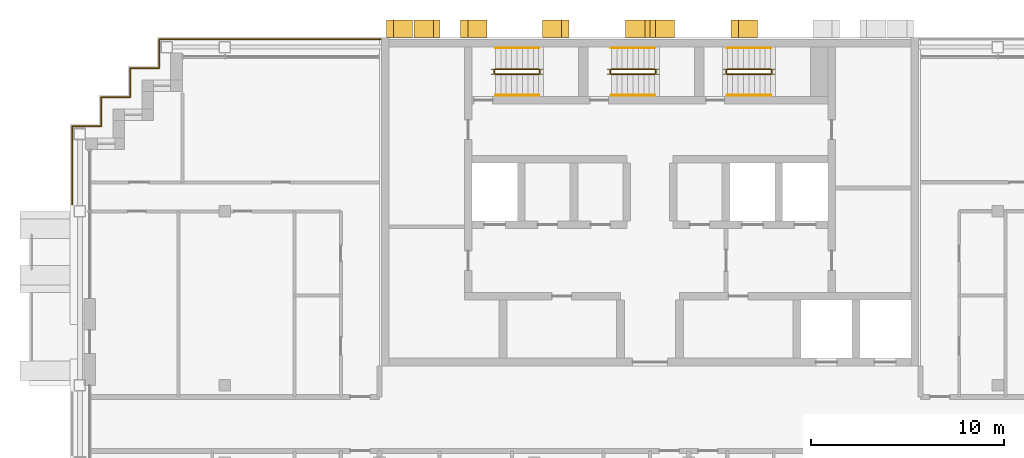
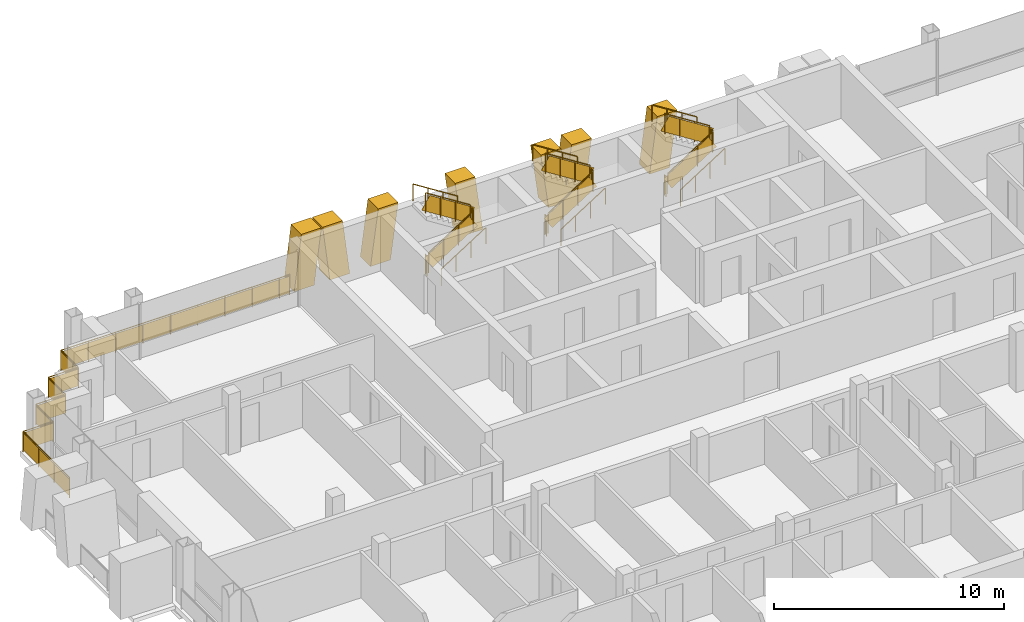
# One storey, part 14 of 15: 21 railings, 6 shading devices.
"""IFC4 building model written with IfcOpenShell, lengths in metres."""

import ifcopenshell
import ifcopenshell.guid

model = None  # the IFC model being written
_history = None  # IfcOwnerHistory: only IFC2X3 demands one
_inside = {}  # id of a spatial element -> (the spatial element, [elements in it])
_under = {}  # id of a project, library or spatial element -> (it, [spatial elements below it])
_declared = {}  # id of a project -> (the project, [libraries it declares])
_typed = {}  # id of a type object -> (the type object, [elements of that type])
_made_of = {}  # id of a material, layer set ... -> (it, [elements and type objects made of it])


def new_model(schema):
    """Start an empty IFC model of exactly this schema.

    Asked for "IFC4X3", IfcOpenShell would pick the latest addendum, in which some entities
    have other attributes; the version numbers below select the first issue.
    IFC2X3 requires an IfcOwnerHistory on every rooted entity: one is made here for all.
    """
    global model, _history
    if schema == "IFC4X3":
        model = ifcopenshell.file(schema_version=(4, 3, 0, 0))
    else:
        model = ifcopenshell.file(schema=schema)
    _inside.clear()
    _under.clear()
    _declared.clear()
    _typed.clear()
    _made_of.clear()
    _history = None
    if model.schema == "IFC2X3":
        org = make("IfcOrganization", Name="unknown")
        user = make(
            "IfcPersonAndOrganization",
            ThePerson=make("IfcPerson", FamilyName="unknown"),
            TheOrganization=org,
        )
        app = make(
            "IfcApplication",
            ApplicationDeveloper=org,
            Version="unknown",
            ApplicationFullName="unknown",
            ApplicationIdentifier="unknown",
        )
        _history = make(
            "IfcOwnerHistory",
            OwningUser=user,
            OwningApplication=app,
            ChangeAction="ADDED",
            CreationDate=0,
        )
    return model


def make(cls, **values):
    """One entity of the class cls with the attributes given. An attribute that is None is left unset."""
    return model.create_entity(
        cls, **{name: value for name, value in values.items() if value is not None}
    )


def rooted(cls, **values):
    """An entity with a GlobalId (a new one), such as an element, a storey or a relation."""
    return make(cls, GlobalId=ifcopenshell.guid.new(), OwnerHistory=_history, **values)


def si_unit(unit_type, name, prefix=None):
    """IfcSIUnit, for example si_unit("LENGTHUNIT", "METRE", prefix="MILLI")."""
    return make("IfcSIUnit", UnitType=unit_type, Prefix=prefix, Name=name)


def assignment(units):
    """IfcUnitAssignment: the units of a project."""
    return None if units is None else make("IfcUnitAssignment", Units=units)


def point(xyz):
    """IfcCartesianPoint."""
    return None if xyz is None else make("IfcCartesianPoint", Coordinates=xyz)


def direction(xyz):
    """IfcDirection."""
    return None if xyz is None else make("IfcDirection", DirectionRatios=xyz)


def frame(location, z_axis=None, x_axis=None):
    """IfcAxis2Placement3D, a coordinate frame: its origin and axes. An axis left out is left unset."""
    return make(
        "IfcAxis2Placement3D",
        Location=point(location),
        Axis=direction(z_axis),
        RefDirection=direction(x_axis),
    )


def frame_2d(location, x_axis=None):
    """IfcAxis2Placement2D, a coordinate frame in the plane: its origin and x axis."""
    return make(
        "IfcAxis2Placement2D", Location=point(location), RefDirection=direction(x_axis)
    )


def origin():
    """The frame at (0, 0, 0) with its axes left unset."""
    return frame((0.0, 0.0, 0.0))


def origin_2d():
    """The frame at (0, 0) in the plane with its x axis left unset."""
    return frame_2d((0.0, 0.0))


def place(relative_to, where):
    """IfcLocalPlacement: puts the frame where relative to a parent placement (None: the world)."""
    return make(
        "IfcLocalPlacement", PlacementRelTo=relative_to, RelativePlacement=where
    )


def context(
    kind, dimensions, precision=None, world=None, true_north=None, identifier=None
):
    """IfcGeometricRepresentationContext, for example the 3D "Model" context."""
    return make(
        "IfcGeometricRepresentationContext",
        ContextIdentifier=identifier,
        ContextType=kind,
        CoordinateSpaceDimension=dimensions,
        Precision=precision,
        WorldCoordinateSystem=world,
        TrueNorth=true_north,
    )


def subcontext(parent, identifier, kind, view, scale=None):
    """IfcGeometricRepresentationSubContext, for example "Body" below "Model"."""
    return make(
        "IfcGeometricRepresentationSubContext",
        ContextIdentifier=identifier,
        ContextType=kind,
        ParentContext=parent,
        TargetScale=scale,
        TargetView=view,
    )


def project(units=None, contexts=None):
    """IfcProject with its units and contexts."""
    return rooted(
        "IfcProject",
        Name="project",
        RepresentationContexts=contexts,
        UnitsInContext=assignment(units),
    )


def spatial(cls, under=None, at=None, **own):
    """A site, building, storey or space (cls), placed at a placement, below another one or the project."""
    s = rooted(cls, ObjectPlacement=at, **own)
    if under is not None:
        _under.setdefault(under.id(), (under, []))[1].append(s)
    return s


def polyline(points):
    """IfcPolyline through the points."""
    return make("IfcPolyline", Points=[point(p) for p in points])


def profile(cls, at=None, kind="AREA", **sizes):
    """A parametric profile (cls). Its sizes go by their IFC names, for example OverallWidth=200.0."""
    return make(cls, ProfileType=kind, Position=at, **sizes)


def rectangle(**sizes):
    """IfcRectangleProfileDef."""
    return profile("IfcRectangleProfileDef", **sizes)


def circle(**sizes):
    """IfcCircleProfileDef."""
    return profile("IfcCircleProfileDef", **sizes)


def outline(outer, holes=None, kind="AREA"):
    """IfcArbitraryClosedProfileDef: a profile drawn as a closed curve; with holes, ...WithVoids."""
    if holes is None:
        return make("IfcArbitraryClosedProfileDef", ProfileType=kind, OuterCurve=outer)
    return make(
        "IfcArbitraryProfileDefWithVoids",
        ProfileType=kind,
        OuterCurve=outer,
        InnerCurves=holes,
    )


def extrude(swept, where, along, depth):
    """IfcExtrudedAreaSolid: the profile swept, set in the frame where, extruded along a direction by depth."""
    return make(
        "IfcExtrudedAreaSolid",
        SweptArea=swept,
        Position=where,
        ExtrudedDirection=direction(along),
        Depth=depth,
    )


def shape(context_of_items, identifier, shape_type, items):
    """IfcShapeRepresentation: the items that make up one representation, for example the "Body"."""
    return make(
        "IfcShapeRepresentation",
        ContextOfItems=context_of_items,
        RepresentationIdentifier=identifier,
        RepresentationType=shape_type,
        Items=items,
    )


def material(Name=None, Category=None):
    """IfcMaterial."""
    return make("IfcMaterial", Name=Name, Category=Category)


def layer(
    of_material, thickness, ventilated=None, Name=None, Category=None, Priority=None
):
    """IfcMaterialLayer: one layer of a wall or slab, of a material (None: an air gap)."""
    return make(
        "IfcMaterialLayer",
        Material=of_material,
        LayerThickness=thickness,
        IsVentilated=ventilated,
        Name=Name,
        Category=Category,
        Priority=Priority,
    )


def layer_set(layers, Name=None):
    """IfcMaterialLayerSet."""
    return make("IfcMaterialLayerSet", MaterialLayers=layers, LayerSetName=Name)


def made_of(thing, what):
    """Note that an element or type object is made of a material, layer set ...; save() writes the relation."""
    if what is not None:
        _made_of.setdefault(what.id(), (what, []))[1].append(thing)
    return thing


def type_object(cls, material=None, **own):
    """A type object (cls), such as IfcWallType, which elements share."""
    return made_of(rooted(cls, **own), material)


def element(
    cls,
    number,
    at=None,
    inside=None,
    cuts=None,
    type_object=None,
    material=None,
    context=None,
    identifier="Body",
    shape_type=None,
    held_by="IfcProductDefinitionShape",
    body=None,
    shapes=None,
    **own,
):
    """One element of the class cls, such as IfcWall. Its Tag is "e" and its number.

    at: its placement. inside: the storey or other place that contains it. cuts: it is an
    opening in that element (IfcRelVoidsElement). A single representation is given by context,
    identifier, shape_type and body (its items); several are given by shapes. held_by: the class
    of the entity that holds the representations. save() writes the other relations.
    """
    e = rooted(cls, Tag="e%d" % number, ObjectPlacement=at, **own)
    if body is not None:
        shapes = [shape(context, identifier, shape_type, body)]
    if shapes is not None:
        e.Representation = make(held_by, Representations=shapes)
    if inside is not None:
        _inside.setdefault(inside.id(), (inside, []))[1].append(e)
    if cuts is not None:
        rooted(
            "IfcRelVoidsElement", RelatingBuildingElement=cuts, RelatedOpeningElement=e
        )
    if type_object is not None:
        _typed.setdefault(type_object.id(), (type_object, []))[1].append(e)
    return made_of(e, material)


def aggregate(whole, parts):
    """IfcRelAggregates: a whole, such as a stair, and the parts it consists of."""
    return rooted("IfcRelAggregates", RelatingObject=whole, RelatedObjects=parts)


def save(model, path):
    """Write the relations noted so far, then the file.

    IfcRelAggregates (storeys below a building ...), IfcRelContainedInSpatialStructure (elements
    in a storey), IfcRelDefinesByType, IfcRelAssociatesMaterial and IfcRelDeclares: one each for
    every whole, place, type object, material and project.
    """
    for whole, parts in _under.values():
        aggregate(whole, parts)
    for where, things in _inside.values():
        rooted(
            "IfcRelContainedInSpatialStructure",
            RelatedElements=things,
            RelatingStructure=where,
        )
    for kind, things in _typed.values():
        rooted("IfcRelDefinesByType", RelatedObjects=things, RelatingType=kind)
    for what, things in _made_of.values():
        rooted("IfcRelAssociatesMaterial", RelatedObjects=things, RelatingMaterial=what)
    for by, libraries in _declared.values():
        rooted("IfcRelDeclares", RelatingContext=by, RelatedDefinitions=libraries)
    model.write(path)


model = new_model("IFC4")

# Units and contexts
model_context = context("Model", 3, precision=1e-05, world=origin(), true_north=direction((0.0, 1.0)))
body_context = subcontext(model_context, "Body", "Model", "MODEL_VIEW")
ifc_project = project(units=[si_unit("LENGTHUNIT", "METRE"), si_unit("AREAUNIT", "SQUARE_METRE"), si_unit("VOLUMEUNIT", "CUBIC_METRE"), si_unit("PLANEANGLEUNIT", "RADIAN"), si_unit("MASSUNIT", "GRAM", prefix="KILO")], contexts=[model_context])

# Site, building, storey
site_placement = place(None, origin())
site = spatial("IfcSite", under=ifc_project, at=site_placement, CompositionType="ELEMENT")
building_placement = place(site_placement, origin())
building = spatial("IfcBuilding", under=site, at=building_placement, Name="Vidyagriha Tower", CompositionType="ELEMENT")
storey_placement = place(building_placement, frame((0.0, 0.0, 233.199951171875)))
storey = spatial("IfcBuildingStorey", under=building, at=storey_placement, Name="L61", CompositionType="ELEMENT", Elevation=233.199951171875)

# Shading devices
ifc_material_1 = material(Name="Precast concrete C40/50 with brick facing", Category="concrete")
ifc_layer_1 = layer(ifc_material_1, 1.0)
ifc_layer_set_1 = layer_set([ifc_layer_1], Name="Precast concrete C40/50 with brick facing")
shading_device_type_1 = type_object("IfcShadingDeviceType", Name="Brick-faced rear rib arm leaning 8 degrees", PredefinedType="USERDEFINED", material=ifc_layer_set_1)
for number, where, z_axis, x_axis, name in (
    (1, (5.5712890625, 20.449951171875, 0.0), (0.0, 0.0, 1.0), (-1.0, 0.0, 0.0), "Rear rib arm L61 R08.2a"),
    (2, (-8.4287109375, 20.449951171875, 0.0), (0.0, 0.0, 1.0), (-1.0, 0.0, 0.0), "Rear rib arm L61 R08.4a"),
):
    element("IfcShadingDevice", number, at=place(storey_placement, frame(where, z_axis=z_axis, x_axis=x_axis)), inside=storey, type_object=shading_device_type_1, Name=name, ObjectType="BLADE FIN", PredefinedType="USERDEFINED", context=body_context, shape_type="SweptSolid", body=[
        extrude(outline(polyline([(0.3857421875, 0.0), (1.3857421875, 0.0), (1.0, 2.920166015625), (0.0, 2.920166015625), (0.3857421875, 0.0)])), frame((0.0, 0.449951171875, 0.0), z_axis=(0.0, -1.0, 0.0), x_axis=(1.0, 0.0, 0.0)), (0.0, 0.0, 1.0), 0.89990234375),
    ])
shading_device_1_placement = place(storey_placement, frame((-4.185791015625, 20.449951171875, 0.0), z_axis=(0.0, 0.0, 1.0), x_axis=(-1.0, 0.0, 0.0)))
element("IfcShadingDevice", 3, at=shading_device_1_placement, inside=storey, type_object=shading_device_type_1, Name="Rear rib arm L61 R08.4b", ObjectType="BLADE FIN", PredefinedType="USERDEFINED", context=body_context, shape_type="SweptSolid", body=[
    extrude(outline(polyline([(0.0, 0.0), (1.0, 0.0), (1.3857421875, 2.920166015625), (0.3857421875, 2.920166015625), (0.0, 0.0)])), frame((0.0, 0.449951171875, 0.0), z_axis=(0.0, -1.0, 0.0), x_axis=(1.0, 0.0, 0.0)), (0.0, 0.0, 1.0), 0.89990234375),
])
shading_device_2_placement = place(storey_placement, frame((-12.28564453125, 20.449951171875, 0.0), z_axis=(0.0, 0.0, 1.0), x_axis=(-1.0, 0.0, 0.0)))
element("IfcShadingDevice", 4, at=shading_device_2_placement, inside=storey, type_object=shading_device_type_1, Name="Rear rib arm L61 R08.5a", ObjectType="BLADE FIN", PredefinedType="USERDEFINED", context=body_context, shape_type="SweptSolid", body=[
    extrude(outline(polyline([(0.357177734375, 0.0), (1.357177734375, 0.0), (1.0, 2.920166015625), (0.0, 2.920166015625), (0.357177734375, 0.0)])), frame((0.0, 0.449951171875, 0.0), z_axis=(0.0, -1.0, 0.0), x_axis=(1.0, 0.0, 0.0)), (0.0, 0.0, 1.0), 0.89990234375),
])
shading_device_3_placement = place(storey_placement, frame((-10.857177734375, 20.449951171875, 0.0), z_axis=(0.0, 0.0, 1.0), x_axis=(-1.0, 0.0, 0.0)))
element("IfcShadingDevice", 5, at=shading_device_3_placement, inside=storey, type_object=shading_device_type_1, Name="Rear rib arm L61 R08.5b", ObjectType="BLADE FIN", PredefinedType="USERDEFINED", context=body_context, shape_type="SweptSolid", body=[
    extrude(outline(polyline([(0.0, 0.0), (1.0, 0.0), (1.357177734375, 2.920166015625), (0.357177734375, 2.920166015625), (0.0, 0.0)])), frame((0.0, 0.449951171875, 0.0), z_axis=(0.0, -1.0, 0.0), x_axis=(1.0, 0.0, 0.0)), (0.0, 0.0, 1.0), 0.89990234375),
])
ifc_material_2 = material(Name="Precast concrete C40/50 with brick facing", Category="concrete")
ifc_layer_2 = layer(ifc_material_2, 1.0)
ifc_layer_set_2 = layer_set([ifc_layer_2], Name="Precast concrete C40/50 with brick facing")
shading_device_type_2 = type_object("IfcShadingDeviceType", Name="Brick-faced rear rib forking 8 degrees", PredefinedType="USERDEFINED", material=ifc_layer_set_2)
shading_device_4_placement = place(storey_placement, frame((1.271484375, 20.449951171875, 0.0), z_axis=(0.0, 0.0, 1.0), x_axis=(-1.0, 0.0, 0.0)))
element("IfcShadingDevice", 6, at=shading_device_4_placement, inside=storey, type_object=shading_device_type_2, Name="Rear rib fork L61 R08.3a", ObjectType="BLADE FIN", PredefinedType="USERDEFINED", context=body_context, shape_type="SweptSolid", body=[
    extrude(outline(polyline([(0.3857421875, 0.0), (2.156982421875, 0.0), (2.542724609375, 2.920166015625), (1.542724609375, 2.920166015625), (1.271484375, 0.865234375), (1.0, 2.920166015625), (0.0, 2.920166015625), (0.3857421875, 0.0)])), frame((0.0, 0.449951171875, 0.0), z_axis=(0.0, -1.0, 0.0), x_axis=(1.0, 0.0, 0.0)), (0.0, 0.0, 1.0), 0.89990234375),
])

# Railings
ifc_material_3 = material(Name="Steel ASTM A500 Grade C black painted", Category="steel")
railing_type_1 = type_object("IfcRailingType", Name="Gallery guard 1100", PredefinedType="GUARDRAIL", material=ifc_material_3)
railing_1_placement = place(storey_placement, frame((-29.89990234375, 11.360107421875, 0.0)))
element("IfcRailing", 7, at=railing_1_placement, inside=storey, type_object=railing_type_1, Name="Gallery guard L61 4", PredefinedType="GUARDRAIL", context=body_context, shape_type="SweptSolid", body=[
    extrude(circle(Radius=0.02490234375, at=origin_2d()), frame((0.0, 0.0, 1.0751953125), z_axis=(0.0, 1.0, 0.0), x_axis=(-1.0, 0.0, 0.0)), (0.0, 0.0, 1.0), 4.039794921875),
    extrude(circle(Radius=0.02490234375, at=origin_2d()), frame((0.0, 4.039794921875, 1.0751953125), z_axis=(1.0, 0.0, 0.0), x_axis=(0.0, 1.0, 0.0)), (0.0, 0.0, 1.0), 1.5),
    extrude(circle(Radius=0.02490234375, at=origin_2d()), frame((1.5, 4.039794921875, 1.0751953125), z_axis=(0.0, 1.0, 0.0), x_axis=(-1.0, 0.0, 0.0)), (0.0, 0.0, 1.0), 1.5),
    extrude(circle(Radius=0.02490234375, at=origin_2d()), frame((1.5, 5.539794921875, 1.0751953125), z_axis=(1.0, 0.0, 0.0), x_axis=(0.0, 1.0, 0.0)), (0.0, 0.0, 1.0), 1.5),
    extrude(circle(Radius=0.02490234375, at=origin_2d()), frame((3.0, 5.539794921875, 1.0751953125), z_axis=(0.0, 1.0, 0.0), x_axis=(-1.0, 0.0, 0.0)), (0.0, 0.0, 1.0), 1.5),
    extrude(circle(Radius=0.02490234375, at=origin_2d()), frame((3.0, 7.039794921875, 1.0751953125), z_axis=(1.0, 0.0, 0.0), x_axis=(0.0, 1.0, 0.0)), (0.0, 0.0, 1.0), 1.5),
    extrude(circle(Radius=0.02490234375, at=origin_2d()), frame((4.5, 7.039794921875, 1.0751953125), z_axis=(0.0, 1.0, 0.0), x_axis=(-1.0, 0.0, 0.0)), (0.0, 0.0, 1.0), 0.460205078125),
    extrude(circle(Radius=0.02001953125, at=origin_2d()), origin(), (0.0, 0.0, 1.0), 1.050048828125),
    extrude(circle(Radius=0.02001953125, at=origin_2d()), frame((0.0, 1.3466796875, 0.0)), (0.0, 0.0, 1.0), 1.050048828125),
    extrude(circle(Radius=0.02001953125, at=origin_2d()), frame((0.0, 2.693115234375, 0.0)), (0.0, 0.0, 1.0), 1.050048828125),
    extrude(circle(Radius=0.02001953125, at=origin_2d()), frame((0.0, 4.039794921875, 0.0)), (0.0, 0.0, 1.0), 1.050048828125),
    extrude(circle(Radius=0.02001953125, at=origin_2d()), frame((1.5, 4.039794921875, 0.0)), (0.0, 0.0, 1.0), 1.050048828125),
    extrude(circle(Radius=0.02001953125, at=origin_2d()), frame((1.5, 5.539794921875, 0.0)), (0.0, 0.0, 1.0), 1.050048828125),
    extrude(circle(Radius=0.02001953125, at=origin_2d()), frame((3.0, 5.539794921875, 0.0)), (0.0, 0.0, 1.0), 1.050048828125),
    extrude(circle(Radius=0.02001953125, at=origin_2d()), frame((3.0, 7.039794921875, 0.0)), (0.0, 0.0, 1.0), 1.050048828125),
    extrude(circle(Radius=0.02001953125, at=origin_2d()), frame((4.5, 7.039794921875, 0.0)), (0.0, 0.0, 1.0), 1.050048828125),
    extrude(circle(Radius=0.02001953125, at=origin_2d()), frame((4.5, 7.5, 0.0)), (0.0, 0.0, 1.0), 1.050048828125),
    extrude(rectangle(XDim=0.010009765625, YDim=0.900146484375, at=origin_2d()), frame((0.0, 0.0, 0.550048828125), z_axis=(0.0, 1.0, 0.0), x_axis=(-1.0, 0.0, 0.0)), (0.0, 0.0, 1.0), 4.039794921875),
    extrude(rectangle(XDim=0.010009765625, YDim=0.900146484375, at=origin_2d()), frame((0.0, 4.039794921875, 0.550048828125), z_axis=(1.0, 0.0, 0.0), x_axis=(0.0, 1.0, 0.0)), (0.0, 0.0, 1.0), 1.5),
    extrude(rectangle(XDim=0.010009765625, YDim=0.900146484375, at=origin_2d()), frame((1.5, 4.039794921875, 0.550048828125), z_axis=(0.0, 1.0, 0.0), x_axis=(-1.0, 0.0, 0.0)), (0.0, 0.0, 1.0), 1.5),
    extrude(rectangle(XDim=0.010009765625, YDim=0.900146484375, at=origin_2d()), frame((1.5, 5.539794921875, 0.550048828125), z_axis=(1.0, 0.0, 0.0), x_axis=(0.0, 1.0, 0.0)), (0.0, 0.0, 1.0), 1.5),
    extrude(rectangle(XDim=0.010009765625, YDim=0.900146484375, at=origin_2d()), frame((3.0, 5.539794921875, 0.550048828125), z_axis=(0.0, 1.0, 0.0), x_axis=(-1.0, 0.0, 0.0)), (0.0, 0.0, 1.0), 1.5),
    extrude(rectangle(XDim=0.010009765625, YDim=0.900146484375, at=origin_2d()), frame((3.0, 7.039794921875, 0.550048828125), z_axis=(1.0, 0.0, 0.0), x_axis=(0.0, 1.0, 0.0)), (0.0, 0.0, 1.0), 1.5),
    extrude(rectangle(XDim=0.010009765625, YDim=0.900146484375, at=origin_2d()), frame((4.5, 7.039794921875, 0.550048828125), z_axis=(0.0, 1.0, 0.0), x_axis=(-1.0, 0.0, 0.0)), (0.0, 0.0, 1.0), 0.460205078125),
])
railing_2_placement = place(storey_placement, frame((-25.39990234375, 18.860107421875, 0.0)))
element("IfcRailing", 8, at=railing_2_placement, inside=storey, type_object=railing_type_1, Name="Gallery guard L61 5", PredefinedType="GUARDRAIL", context=body_context, shape_type="SweptSolid", body=[
    extrude(circle(Radius=0.02490234375, at=origin_2d()), frame((0.0, 0.0, 1.0751953125), z_axis=(0.0, 1.0, 0.0), x_axis=(-1.0, 0.0, 0.0)), (0.0, 0.0, 1.0), 1.039794921875),
    extrude(circle(Radius=0.02490234375, at=origin_2d()), frame((0.0, 1.039794921875, 1.0751953125), z_axis=(1.0, 0.0, 0.0), x_axis=(0.0, 1.0, 0.0)), (0.0, 0.0, 1.0), 10.9599609375),
    extrude(circle(Radius=0.02001953125, at=origin_2d()), origin(), (0.0, 0.0, 1.0), 1.050048828125),
    extrude(circle(Radius=0.02001953125, at=origin_2d()), frame((0.0, 1.039794921875, 0.0)), (0.0, 0.0, 1.0), 1.050048828125),
    extrude(circle(Radius=0.02001953125, at=origin_2d()), frame((1.3701171875, 1.039794921875, 0.0)), (0.0, 0.0, 1.0), 1.050048828125),
    extrude(circle(Radius=0.02001953125, at=origin_2d()), frame((2.739990234375, 1.039794921875, 0.0)), (0.0, 0.0, 1.0), 1.050048828125),
    extrude(circle(Radius=0.02001953125, at=origin_2d()), frame((4.10986328125, 1.039794921875, 0.0)), (0.0, 0.0, 1.0), 1.050048828125),
    extrude(circle(Radius=0.02001953125, at=origin_2d()), frame((5.47998046875, 1.039794921875, 0.0)), (0.0, 0.0, 1.0), 1.050048828125),
    extrude(circle(Radius=0.02001953125, at=origin_2d()), frame((6.85009765625, 1.039794921875, 0.0)), (0.0, 0.0, 1.0), 1.050048828125),
    extrude(circle(Radius=0.02001953125, at=origin_2d()), frame((8.219970703125, 1.039794921875, 0.0)), (0.0, 0.0, 1.0), 1.050048828125),
    extrude(circle(Radius=0.02001953125, at=origin_2d()), frame((9.58984375, 1.039794921875, 0.0)), (0.0, 0.0, 1.0), 1.050048828125),
    extrude(circle(Radius=0.02001953125, at=origin_2d()), frame((10.9599609375, 1.039794921875, 0.0)), (0.0, 0.0, 1.0), 1.050048828125),
    extrude(rectangle(XDim=0.010009765625, YDim=0.900146484375, at=origin_2d()), frame((0.0, 0.0, 0.550048828125), z_axis=(0.0, 1.0, 0.0), x_axis=(-1.0, 0.0, 0.0)), (0.0, 0.0, 1.0), 1.039794921875),
    extrude(rectangle(XDim=0.010009765625, YDim=0.900146484375, at=origin_2d()), frame((0.0, 1.039794921875, 0.550048828125), z_axis=(1.0, 0.0, 0.0), x_axis=(0.0, 1.0, 0.0)), (0.0, 0.0, 1.0), 10.9599609375),
])
railing_3_placement = place(storey_placement, frame((-14.43994140625, 19.89990234375, 0.0)))
element("IfcRailing", 9, at=railing_3_placement, inside=storey, type_object=railing_type_1, Name="Gallery guard L61 6", PredefinedType="GUARDRAIL", context=body_context, shape_type="SweptSolid", body=[
    extrude(circle(Radius=0.02490234375, at=origin_2d()), frame((0.0, 0.0, 1.0751953125), z_axis=(1.0, 0.0, 0.0), x_axis=(0.0, 1.0, 0.0)), (0.0, 0.0, 1.0), 0.510009765625),
    extrude(circle(Radius=0.02001953125, at=origin_2d()), origin(), (0.0, 0.0, 1.0), 1.050048828125),
    extrude(circle(Radius=0.02001953125, at=origin_2d()), frame((0.510009765625, 0.0, 0.0)), (0.0, 0.0, 1.0), 1.050048828125),
    extrude(rectangle(XDim=0.010009765625, YDim=0.900146484375, at=origin_2d()), frame((0.0, 0.0, 0.550048828125), z_axis=(1.0, 0.0, 0.0), x_axis=(0.0, 1.0, 0.0)), (0.0, 0.0, 1.0), 0.510009765625),
])
ifc_material_4 = material(Name="Steel ASTM A500 Grade C", Category="steel")
railing_type_2 = type_object("IfcRailingType", Name="Stair guard 1100 mm, steel balustrade", PredefinedType="GUARDRAIL", material=ifc_material_4)
railing_4_placement = place(storey_placement, frame((-8.0, 18.10009765625, 0.177734375)))
element("IfcRailing", 10, at=railing_4_placement, inside=storey, type_object=railing_type_2, Name="L61 ST1 stair guard 1", PredefinedType="GUARDRAIL", context=body_context, shape_type="SweptSolid", body=[
    extrude(circle(Radius=0.02392578125, at=origin_2d()), frame((0.0, 0.0, 1.076171875), z_axis=(0.84418770128, 0.0, 0.536047689118), x_axis=(0.0, 1.0, 0.0)), (0.0, 0.0, 1.0), 2.6533203125),
    extrude(circle(Radius=0.02099609375, at=origin_2d()), origin(), (0.0, 0.0, 1.0), 1.052001953125),
    extrude(circle(Radius=0.02099609375, at=origin_2d()), frame((0.74658203125, 0.0, 0.47412109375)), (0.0, 0.0, 1.0), 1.052001953125),
    extrude(circle(Radius=0.02099609375, at=origin_2d()), frame((1.493408203125, 0.0, 0.9482421875)), (0.0, 0.0, 1.0), 1.052001953125),
    extrude(circle(Radius=0.02099609375, at=origin_2d()), frame((2.239990234375, 0.0, 1.42236328125)), (0.0, 0.0, 1.0), 1.052001953125),
    extrude(rectangle(XDim=0.010009765625, YDim=0.761474609375, at=origin_2d()), frame((0.0, 0.0, 0.551025390625), z_axis=(0.84418770128, 0.0, 0.536047689118), x_axis=(0.0, 1.0, 0.0)), (0.0, 0.0, 1.0), 2.6533203125),
])
railing_5_placement = place(storey_placement, frame((-5.7099609375, 18.14990234375, 1.60009765625)))
element("IfcRailing", 11, at=railing_5_placement, inside=storey, type_object=railing_type_2, Name="L61 ST1 stair guard 2", PredefinedType="GUARDRAIL", context=body_context, shape_type="SweptSolid", body=[
    extrude(circle(Radius=0.02392578125, at=origin_2d()), frame((0.0, 0.0, 1.076171875), z_axis=(0.0, 1.0, 0.0), x_axis=(-1.0, 0.0, 0.0)), (0.0, 0.0, 1.0), 0.150146484375),
    extrude(circle(Radius=0.02099609375, at=origin_2d()), origin(), (0.0, 0.0, 1.0), 1.052001953125),
    extrude(circle(Radius=0.02099609375, at=origin_2d()), frame((0.0, 0.150146484375, 0.0)), (0.0, 0.0, 1.0), 1.052001953125),
    extrude(rectangle(XDim=0.010009765625, YDim=0.902099609375, at=origin_2d()), frame((0.0, 0.0, 0.551025390625), z_axis=(0.0, 1.0, 0.0), x_axis=(-1.0, 0.0, 0.0)), (0.0, 0.0, 1.0), 0.150146484375),
])
railing_6_placement = place(storey_placement, frame((-5.760009765625, 18.35009765625, 1.77783203125)))
element("IfcRailing", 12, at=railing_6_placement, inside=storey, type_object=railing_type_2, Name="L61 ST1 stair guard 3", PredefinedType="GUARDRAIL", context=body_context, shape_type="SweptSolid", body=[
    extrude(circle(Radius=0.02392578125, at=origin_2d()), frame((0.0, 0.0, 1.076171875), z_axis=(-0.8442293374, 0.0, 0.53598211339), x_axis=(0.0, -1.0, 0.0)), (0.0, 0.0, 1.0), 2.6533203125),
    extrude(circle(Radius=0.02099609375, at=origin_2d()), origin(), (0.0, 0.0, 1.0), 1.052001953125),
    extrude(circle(Radius=0.02099609375, at=origin_2d()), frame((-0.74658203125, 0.0, 0.47412109375)), (0.0, 0.0, 1.0), 1.052001953125),
    extrude(circle(Radius=0.02099609375, at=origin_2d()), frame((-1.493408203125, 0.0, 0.947998046875)), (0.0, 0.0, 1.0), 1.052001953125),
    extrude(circle(Radius=0.02099609375, at=origin_2d()), frame((-2.239990234375, 0.0, 1.422119140625)), (0.0, 0.0, 1.0), 1.052001953125),
    extrude(rectangle(XDim=0.010009765625, YDim=0.761474609375, at=origin_2d()), frame((0.0, 0.0, 0.551025390625), z_axis=(-0.8442293374, 0.0, 0.53598211339), x_axis=(0.0, -1.0, 0.0)), (0.0, 0.0, 1.0), 2.6533203125),
])
railing_7_placement = place(storey_placement, frame((-8.050048828125, 18.14990234375, 0.0)))
element("IfcRailing", 13, at=railing_7_placement, inside=storey, type_object=railing_type_2, Name="L61 ST1 stair guard 4", PredefinedType="GUARDRAIL", context=body_context, shape_type="SweptSolid", body=[
    extrude(circle(Radius=0.02392578125, at=origin_2d()), frame((0.0, 0.0, 1.076171875), z_axis=(0.0, 1.0, 0.0), x_axis=(-1.0, 0.0, 0.0)), (0.0, 0.0, 1.0), 0.150146484375),
    extrude(circle(Radius=0.02099609375, at=origin_2d()), origin(), (0.0, 0.0, 1.0), 1.052001953125),
    extrude(circle(Radius=0.02099609375, at=origin_2d()), frame((0.0, 0.150146484375, 0.0)), (0.0, 0.0, 1.0), 1.052001953125),
    extrude(rectangle(XDim=0.010009765625, YDim=0.902099609375, at=origin_2d()), frame((0.0, 0.0, 0.551025390625), z_axis=(0.0, 1.0, 0.0), x_axis=(-1.0, 0.0, 0.0)), (0.0, 0.0, 1.0), 0.150146484375),
])
railing_8_placement = place(storey_placement, frame((-2.0, 18.10009765625, 0.177734375)))
element("IfcRailing", 14, at=railing_8_placement, inside=storey, type_object=railing_type_2, Name="L61 ST2 stair guard 1", PredefinedType="GUARDRAIL", context=body_context, shape_type="SweptSolid", body=[
    extrude(circle(Radius=0.02392578125, at=origin_2d()), frame((0.0, 0.0, 1.076171875), z_axis=(0.84418770128, 0.0, 0.536047689118), x_axis=(0.0, 1.0, 0.0)), (0.0, 0.0, 1.0), 2.6533203125),
    extrude(circle(Radius=0.02099609375, at=origin_2d()), origin(), (0.0, 0.0, 1.0), 1.052001953125),
    extrude(circle(Radius=0.02099609375, at=origin_2d()), frame((0.74658203125, 0.0, 0.47412109375)), (0.0, 0.0, 1.0), 1.052001953125),
    extrude(circle(Radius=0.02099609375, at=origin_2d()), frame((1.493408203125, 0.0, 0.9482421875)), (0.0, 0.0, 1.0), 1.052001953125),
    extrude(circle(Radius=0.02099609375, at=origin_2d()), frame((2.239990234375, 0.0, 1.42236328125)), (0.0, 0.0, 1.0), 1.052001953125),
    extrude(rectangle(XDim=0.010009765625, YDim=0.761474609375, at=origin_2d()), frame((0.0, 0.0, 0.551025390625), z_axis=(0.84418770128, 0.0, 0.536047689118), x_axis=(0.0, 1.0, 0.0)), (0.0, 0.0, 1.0), 2.6533203125),
])
railing_9_placement = place(storey_placement, frame((0.2900390625, 18.14990234375, 1.60009765625)))
element("IfcRailing", 15, at=railing_9_placement, inside=storey, type_object=railing_type_2, Name="L61 ST2 stair guard 2", PredefinedType="GUARDRAIL", context=body_context, shape_type="SweptSolid", body=[
    extrude(circle(Radius=0.02392578125, at=origin_2d()), frame((0.0, 0.0, 1.076171875), z_axis=(0.0, 1.0, 0.0), x_axis=(-1.0, 0.0, 0.0)), (0.0, 0.0, 1.0), 0.150146484375),
    extrude(circle(Radius=0.02099609375, at=origin_2d()), origin(), (0.0, 0.0, 1.0), 1.052001953125),
    extrude(circle(Radius=0.02099609375, at=origin_2d()), frame((0.0, 0.150146484375, 0.0)), (0.0, 0.0, 1.0), 1.052001953125),
    extrude(rectangle(XDim=0.010009765625, YDim=0.902099609375, at=origin_2d()), frame((0.0, 0.0, 0.551025390625), z_axis=(0.0, 1.0, 0.0), x_axis=(-1.0, 0.0, 0.0)), (0.0, 0.0, 1.0), 0.150146484375),
])
railing_10_placement = place(storey_placement, frame((0.239990234375, 18.35009765625, 1.77783203125)))
element("IfcRailing", 16, at=railing_10_placement, inside=storey, type_object=railing_type_2, Name="L61 ST2 stair guard 3", PredefinedType="GUARDRAIL", context=body_context, shape_type="SweptSolid", body=[
    extrude(circle(Radius=0.02392578125, at=origin_2d()), frame((0.0, 0.0, 1.076171875), z_axis=(-0.8442293374, 0.0, 0.53598211339), x_axis=(0.0, -1.0, 0.0)), (0.0, 0.0, 1.0), 2.6533203125),
    extrude(circle(Radius=0.02099609375, at=origin_2d()), origin(), (0.0, 0.0, 1.0), 1.052001953125),
    extrude(circle(Radius=0.02099609375, at=origin_2d()), frame((-0.74658203125, 0.0, 0.47412109375)), (0.0, 0.0, 1.0), 1.052001953125),
    extrude(circle(Radius=0.02099609375, at=origin_2d()), frame((-1.493408203125, 0.0, 0.947998046875)), (0.0, 0.0, 1.0), 1.052001953125),
    extrude(circle(Radius=0.02099609375, at=origin_2d()), frame((-2.239990234375, 0.0, 1.422119140625)), (0.0, 0.0, 1.0), 1.052001953125),
    extrude(rectangle(XDim=0.010009765625, YDim=0.761474609375, at=origin_2d()), frame((0.0, 0.0, 0.551025390625), z_axis=(-0.8442293374, 0.0, 0.53598211339), x_axis=(0.0, -1.0, 0.0)), (0.0, 0.0, 1.0), 2.6533203125),
])
railing_11_placement = place(storey_placement, frame((-2.050048828125, 18.14990234375, 0.0)))
element("IfcRailing", 17, at=railing_11_placement, inside=storey, type_object=railing_type_2, Name="L61 ST2 stair guard 4", PredefinedType="GUARDRAIL", context=body_context, shape_type="SweptSolid", body=[
    extrude(circle(Radius=0.02392578125, at=origin_2d()), frame((0.0, 0.0, 1.076171875), z_axis=(0.0, 1.0, 0.0), x_axis=(-1.0, 0.0, 0.0)), (0.0, 0.0, 1.0), 0.150146484375),
    extrude(circle(Radius=0.02099609375, at=origin_2d()), origin(), (0.0, 0.0, 1.0), 1.052001953125),
    extrude(circle(Radius=0.02099609375, at=origin_2d()), frame((0.0, 0.150146484375, 0.0)), (0.0, 0.0, 1.0), 1.052001953125),
    extrude(rectangle(XDim=0.010009765625, YDim=0.902099609375, at=origin_2d()), frame((0.0, 0.0, 0.551025390625), z_axis=(0.0, 1.0, 0.0), x_axis=(-1.0, 0.0, 0.0)), (0.0, 0.0, 1.0), 0.150146484375),
])
railing_12_placement = place(storey_placement, frame((4.0, 18.10009765625, 0.177734375)))
element("IfcRailing", 18, at=railing_12_placement, inside=storey, type_object=railing_type_2, Name="L61 ST3 stair guard 1", PredefinedType="GUARDRAIL", context=body_context, shape_type="SweptSolid", body=[
    extrude(circle(Radius=0.02392578125, at=origin_2d()), frame((0.0, 0.0, 1.076171875), z_axis=(0.84418770128, 0.0, 0.536047689118), x_axis=(0.0, 1.0, 0.0)), (0.0, 0.0, 1.0), 2.6533203125),
    extrude(circle(Radius=0.02099609375, at=origin_2d()), origin(), (0.0, 0.0, 1.0), 1.052001953125),
    extrude(circle(Radius=0.02099609375, at=origin_2d()), frame((0.74658203125, 0.0, 0.47412109375)), (0.0, 0.0, 1.0), 1.052001953125),
    extrude(circle(Radius=0.02099609375, at=origin_2d()), frame((1.493408203125, 0.0, 0.9482421875)), (0.0, 0.0, 1.0), 1.052001953125),
    extrude(circle(Radius=0.02099609375, at=origin_2d()), frame((2.239990234375, 0.0, 1.42236328125)), (0.0, 0.0, 1.0), 1.052001953125),
    extrude(rectangle(XDim=0.010009765625, YDim=0.761474609375, at=origin_2d()), frame((0.0, 0.0, 0.551025390625), z_axis=(0.84418770128, 0.0, 0.536047689118), x_axis=(0.0, 1.0, 0.0)), (0.0, 0.0, 1.0), 2.6533203125),
])
railing_13_placement = place(storey_placement, frame((6.2900390625, 18.14990234375, 1.60009765625)))
element("IfcRailing", 19, at=railing_13_placement, inside=storey, type_object=railing_type_2, Name="L61 ST3 stair guard 2", PredefinedType="GUARDRAIL", context=body_context, shape_type="SweptSolid", body=[
    extrude(circle(Radius=0.02392578125, at=origin_2d()), frame((0.0, 0.0, 1.076171875), z_axis=(0.0, 1.0, 0.0), x_axis=(-1.0, 0.0, 0.0)), (0.0, 0.0, 1.0), 0.150146484375),
    extrude(circle(Radius=0.02099609375, at=origin_2d()), origin(), (0.0, 0.0, 1.0), 1.052001953125),
    extrude(circle(Radius=0.02099609375, at=origin_2d()), frame((0.0, 0.150146484375, 0.0)), (0.0, 0.0, 1.0), 1.052001953125),
    extrude(rectangle(XDim=0.010009765625, YDim=0.902099609375, at=origin_2d()), frame((0.0, 0.0, 0.551025390625), z_axis=(0.0, 1.0, 0.0), x_axis=(-1.0, 0.0, 0.0)), (0.0, 0.0, 1.0), 0.150146484375),
])
railing_14_placement = place(storey_placement, frame((6.239990234375, 18.35009765625, 1.77783203125)))
element("IfcRailing", 20, at=railing_14_placement, inside=storey, type_object=railing_type_2, Name="L61 ST3 stair guard 3", PredefinedType="GUARDRAIL", context=body_context, shape_type="SweptSolid", body=[
    extrude(circle(Radius=0.02392578125, at=origin_2d()), frame((0.0, 0.0, 1.076171875), z_axis=(-0.8442293374, 0.0, 0.53598211339), x_axis=(0.0, -1.0, 0.0)), (0.0, 0.0, 1.0), 2.6533203125),
    extrude(circle(Radius=0.02099609375, at=origin_2d()), origin(), (0.0, 0.0, 1.0), 1.052001953125),
    extrude(circle(Radius=0.02099609375, at=origin_2d()), frame((-0.74658203125, 0.0, 0.47412109375)), (0.0, 0.0, 1.0), 1.052001953125),
    extrude(circle(Radius=0.02099609375, at=origin_2d()), frame((-1.493408203125, 0.0, 0.947998046875)), (0.0, 0.0, 1.0), 1.052001953125),
    extrude(circle(Radius=0.02099609375, at=origin_2d()), frame((-2.239990234375, 0.0, 1.422119140625)), (0.0, 0.0, 1.0), 1.052001953125),
    extrude(rectangle(XDim=0.010009765625, YDim=0.761474609375, at=origin_2d()), frame((0.0, 0.0, 0.551025390625), z_axis=(-0.8442293374, 0.0, 0.53598211339), x_axis=(0.0, -1.0, 0.0)), (0.0, 0.0, 1.0), 2.6533203125),
])
railing_15_placement = place(storey_placement, frame((3.949951171875, 18.14990234375, 0.0)))
element("IfcRailing", 21, at=railing_15_placement, inside=storey, type_object=railing_type_2, Name="L61 ST3 stair guard 4", PredefinedType="GUARDRAIL", context=body_context, shape_type="SweptSolid", body=[
    extrude(circle(Radius=0.02392578125, at=origin_2d()), frame((0.0, 0.0, 1.076171875), z_axis=(0.0, 1.0, 0.0), x_axis=(-1.0, 0.0, 0.0)), (0.0, 0.0, 1.0), 0.150146484375),
    extrude(circle(Radius=0.02099609375, at=origin_2d()), origin(), (0.0, 0.0, 1.0), 1.052001953125),
    extrude(circle(Radius=0.02099609375, at=origin_2d()), frame((0.0, 0.150146484375, 0.0)), (0.0, 0.0, 1.0), 1.052001953125),
    extrude(rectangle(XDim=0.010009765625, YDim=0.902099609375, at=origin_2d()), frame((0.0, 0.0, 0.551025390625), z_axis=(0.0, 1.0, 0.0), x_axis=(-1.0, 0.0, 0.0)), (0.0, 0.0, 1.0), 0.150146484375),
])
ifc_material_5 = material(Name="Steel ASTM A500 Grade C", Category="steel")
railing_type_3 = type_object("IfcRailingType", Name="Stair handrail 900 mm, steel", PredefinedType="HANDRAIL", material=ifc_material_5)
railing_16_placement = place(storey_placement, frame((-8.0, 17.0, 0.177734375)))
element("IfcRailing", 22, at=railing_16_placement, inside=storey, type_object=railing_type_3, Name="L61 ST1 stair handrail 1", PredefinedType="HANDRAIL", context=body_context, shape_type="SweptSolid", body=[
    extrude(circle(Radius=0.02392578125, at=origin_2d()), frame((0.0, 0.0, 0.8759765625), z_axis=(0.84418770128, 0.0, 0.536047689118), x_axis=(0.0, 1.0, 0.0)), (0.0, 0.0, 1.0), 2.6533203125),
    extrude(circle(Radius=0.02099609375, at=origin_2d()), origin(), (0.0, 0.0, 1.0), 0.851806640625),
    extrude(circle(Radius=0.02099609375, at=origin_2d()), frame((0.74658203125, 0.0, 0.47412109375)), (0.0, 0.0, 1.0), 0.851806640625),
    extrude(circle(Radius=0.02099609375, at=origin_2d()), frame((1.493408203125, 0.0, 0.9482421875)), (0.0, 0.0, 1.0), 0.851806640625),
    extrude(circle(Radius=0.02099609375, at=origin_2d()), frame((2.239990234375, 0.0, 1.42236328125)), (0.0, 0.0, 1.0), 0.851806640625),
])
railing_17_placement = place(storey_placement, frame((-5.760009765625, 19.449951171875, 1.77783203125)))
element("IfcRailing", 23, at=railing_17_placement, inside=storey, type_object=railing_type_3, Name="L61 ST1 stair handrail 2", PredefinedType="HANDRAIL", context=body_context, shape_type="SweptSolid", body=[
    extrude(circle(Radius=0.02392578125, at=origin_2d()), frame((0.0, 0.0, 0.8759765625), z_axis=(-0.8442293374, 0.0, 0.53598211339), x_axis=(0.0, -1.0, 0.0)), (0.0, 0.0, 1.0), 2.6533203125),
    extrude(circle(Radius=0.02099609375, at=origin_2d()), origin(), (0.0, 0.0, 1.0), 0.851806640625),
    extrude(circle(Radius=0.02099609375, at=origin_2d()), frame((-0.74658203125, 0.0, 0.47412109375)), (0.0, 0.0, 1.0), 0.851806640625),
    extrude(circle(Radius=0.02099609375, at=origin_2d()), frame((-1.493408203125, 0.0, 0.947998046875)), (0.0, 0.0, 1.0), 0.851806640625),
    extrude(circle(Radius=0.02099609375, at=origin_2d()), frame((-2.239990234375, 0.0, 1.422119140625)), (0.0, 0.0, 1.0), 0.851806640625),
])
railing_18_placement = place(storey_placement, frame((-2.0, 17.0, 0.177734375)))
element("IfcRailing", 24, at=railing_18_placement, inside=storey, type_object=railing_type_3, Name="L61 ST2 stair handrail 1", PredefinedType="HANDRAIL", context=body_context, shape_type="SweptSolid", body=[
    extrude(circle(Radius=0.02392578125, at=origin_2d()), frame((0.0, 0.0, 0.8759765625), z_axis=(0.84418770128, 0.0, 0.536047689118), x_axis=(0.0, 1.0, 0.0)), (0.0, 0.0, 1.0), 2.6533203125),
    extrude(circle(Radius=0.02099609375, at=origin_2d()), origin(), (0.0, 0.0, 1.0), 0.851806640625),
    extrude(circle(Radius=0.02099609375, at=origin_2d()), frame((0.74658203125, 0.0, 0.47412109375)), (0.0, 0.0, 1.0), 0.851806640625),
    extrude(circle(Radius=0.02099609375, at=origin_2d()), frame((1.493408203125, 0.0, 0.9482421875)), (0.0, 0.0, 1.0), 0.851806640625),
    extrude(circle(Radius=0.02099609375, at=origin_2d()), frame((2.239990234375, 0.0, 1.42236328125)), (0.0, 0.0, 1.0), 0.851806640625),
])
railing_19_placement = place(storey_placement, frame((0.239990234375, 19.449951171875, 1.77783203125)))
element("IfcRailing", 25, at=railing_19_placement, inside=storey, type_object=railing_type_3, Name="L61 ST2 stair handrail 2", PredefinedType="HANDRAIL", context=body_context, shape_type="SweptSolid", body=[
    extrude(circle(Radius=0.02392578125, at=origin_2d()), frame((0.0, 0.0, 0.8759765625), z_axis=(-0.8442293374, 0.0, 0.53598211339), x_axis=(0.0, -1.0, 0.0)), (0.0, 0.0, 1.0), 2.6533203125),
    extrude(circle(Radius=0.02099609375, at=origin_2d()), origin(), (0.0, 0.0, 1.0), 0.851806640625),
    extrude(circle(Radius=0.02099609375, at=origin_2d()), frame((-0.74658203125, 0.0, 0.47412109375)), (0.0, 0.0, 1.0), 0.851806640625),
    extrude(circle(Radius=0.02099609375, at=origin_2d()), frame((-1.493408203125, 0.0, 0.947998046875)), (0.0, 0.0, 1.0), 0.851806640625),
    extrude(circle(Radius=0.02099609375, at=origin_2d()), frame((-2.239990234375, 0.0, 1.422119140625)), (0.0, 0.0, 1.0), 0.851806640625),
])
railing_20_placement = place(storey_placement, frame((4.0, 17.0, 0.177734375)))
element("IfcRailing", 26, at=railing_20_placement, inside=storey, type_object=railing_type_3, Name="L61 ST3 stair handrail 1", PredefinedType="HANDRAIL", context=body_context, shape_type="SweptSolid", body=[
    extrude(circle(Radius=0.02392578125, at=origin_2d()), frame((0.0, 0.0, 0.8759765625), z_axis=(0.84418770128, 0.0, 0.536047689118), x_axis=(0.0, 1.0, 0.0)), (0.0, 0.0, 1.0), 2.6533203125),
    extrude(circle(Radius=0.02099609375, at=origin_2d()), origin(), (0.0, 0.0, 1.0), 0.851806640625),
    extrude(circle(Radius=0.02099609375, at=origin_2d()), frame((0.74658203125, 0.0, 0.47412109375)), (0.0, 0.0, 1.0), 0.851806640625),
    extrude(circle(Radius=0.02099609375, at=origin_2d()), frame((1.493408203125, 0.0, 0.9482421875)), (0.0, 0.0, 1.0), 0.851806640625),
    extrude(circle(Radius=0.02099609375, at=origin_2d()), frame((2.239990234375, 0.0, 1.42236328125)), (0.0, 0.0, 1.0), 0.851806640625),
])
railing_21_placement = place(storey_placement, frame((6.239990234375, 19.449951171875, 1.77783203125)))
element("IfcRailing", 27, at=railing_21_placement, inside=storey, type_object=railing_type_3, Name="L61 ST3 stair handrail 2", PredefinedType="HANDRAIL", context=body_context, shape_type="SweptSolid", body=[
    extrude(circle(Radius=0.02392578125, at=origin_2d()), frame((0.0, 0.0, 0.8759765625), z_axis=(-0.8442293374, 0.0, 0.53598211339), x_axis=(0.0, -1.0, 0.0)), (0.0, 0.0, 1.0), 2.6533203125),
    extrude(circle(Radius=0.02099609375, at=origin_2d()), origin(), (0.0, 0.0, 1.0), 0.851806640625),
    extrude(circle(Radius=0.02099609375, at=origin_2d()), frame((-0.74658203125, 0.0, 0.47412109375)), (0.0, 0.0, 1.0), 0.851806640625),
    extrude(circle(Radius=0.02099609375, at=origin_2d()), frame((-1.493408203125, 0.0, 0.947998046875)), (0.0, 0.0, 1.0), 0.851806640625),
    extrude(circle(Radius=0.02099609375, at=origin_2d()), frame((-2.239990234375, 0.0, 1.422119140625)), (0.0, 0.0, 1.0), 0.851806640625),
])

save(model, "model.ifc")
